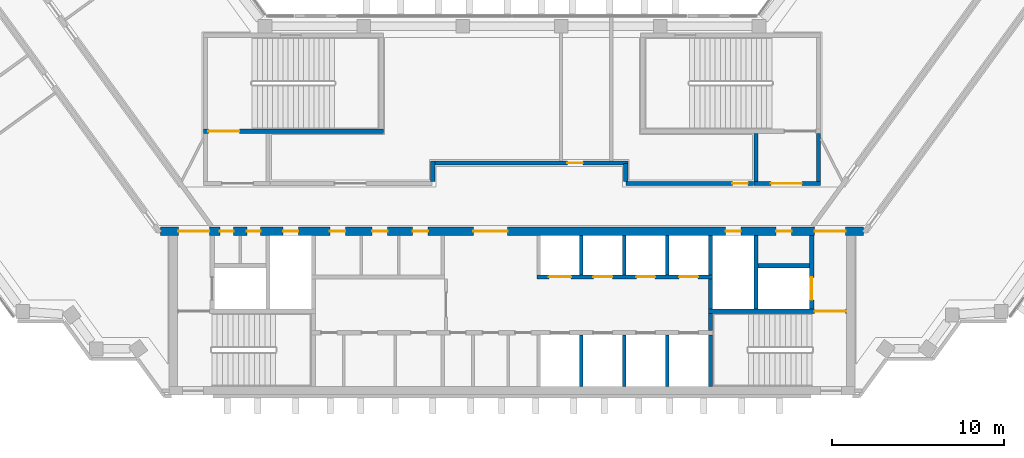
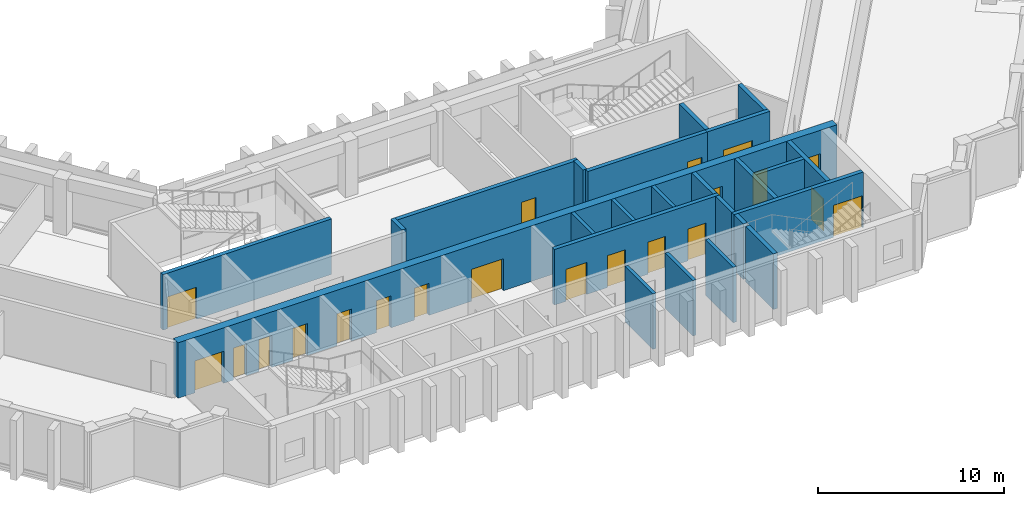
# One storey, part 5 of 9: 24 walls, 21 doors, 21 openings.
"""IFC4 building model written with IfcOpenShell, lengths in metres."""

from ifc_helpers import new_model, si_unit, direction, frame, frame_2d, origin, place, context, subcontext, project, spatial, rectangle, extrude, material, layer, layer_set, type_object, element, fill, save


model = new_model("IFC4")

# Units and contexts
model_context = context("Model", 3, precision=1e-05, world=origin(), true_north=direction((0.0, 1.0)))
body_context = subcontext(model_context, "Body", "Model", "MODEL_VIEW")
ifc_project = project(units=[si_unit("LENGTHUNIT", "METRE"), si_unit("AREAUNIT", "SQUARE_METRE"), si_unit("VOLUMEUNIT", "CUBIC_METRE"), si_unit("PLANEANGLEUNIT", "RADIAN"), si_unit("MASSUNIT", "GRAM", prefix="KILO")], contexts=[model_context])

# Site, building, storey
site_placement = place(None, origin())
site = spatial("IfcSite", under=ifc_project, at=site_placement, CompositionType="ELEMENT")
building_placement = place(site_placement, origin())
building = spatial("IfcBuilding", under=site, at=building_placement, Name="Quipu Civic Tower", CompositionType="ELEMENT")
storey_placement = place(building_placement, frame((0.0, 0.0, 218.0)))
storey = spatial("IfcBuildingStorey", under=building, at=storey_placement, Name="L51", CompositionType="ELEMENT", Elevation=218.0)

# Walls
ifc_material_1 = material(Name="Concrete C70/85", Category="concrete")
ifc_layer_1 = layer(ifc_material_1, 0.25)
ifc_layer_set_1 = layer_set([ifc_layer_1], Name="Concrete C70/85")
wall_type_1 = type_object("IfcWallType", Name="Core wall 250", PredefinedType="SHEAR", material=ifc_layer_set_1)
wall_1_placement = place(storey_placement, frame((11.574951171875, -10.5, 0.0), z_axis=(0.0, 0.0, 1.0), x_axis=(0.0, 1.0, 0.0)))
element("IfcWall", 1, at=wall_1_placement, inside=storey, type_object=wall_type_1, Name="Core wall", PredefinedType="SHEAR", context=body_context, shape_type="SweptSolid", body=[
    extrude(rectangle(XDim=3.0, YDim=0.25, at=frame_2d((1.5, 0.0))), origin(), (0.0, 0.0, 1.0), 3.64990234375),
])
wall_2_placement = place(storey_placement, frame((11.574951171875, -7.25, 0.0), z_axis=(0.0, 0.0, 1.0), x_axis=(0.0, 1.0, 0.0)))
element("IfcWall", 2, at=wall_2_placement, inside=storey, type_object=wall_type_1, Name="Core wall", PredefinedType="SHEAR", context=body_context, shape_type="SweptSolid", body=[
    extrude(rectangle(XDim=1.0, YDim=0.25, at=frame_2d((0.5, 0.0))), origin(), (0.0, 0.0, 1.0), 3.64990234375),
])

# Wall, opening, door
wall_3_placement = place(storey_placement, frame((19.5, -6.125, 0.0), z_axis=(0.0, 0.0, 1.0), x_axis=(-1.0, 0.0, 0.0)))
wall_3 = element("IfcWall", 3, at=wall_3_placement, inside=storey, type_object=wall_type_1, Name="Core wall", PredefinedType="SHEAR", context=body_context, shape_type="SweptSolid", body=[
    extrude(rectangle(XDim=8.050048828125, YDim=0.25, at=frame_2d((4.02490234375, 0.0))), origin(), (0.0, 0.0, 1.0), 3.64990234375),
])
opening_1_placement = place(wall_3_placement, frame((0.050048828125, 0.0, 0.0)))
opening_1 = element("IfcOpeningElement", 4, at=opening_1_placement, cuts=wall_3, Name="Opening CD-08", PredefinedType="OPENING", context=body_context, shape_type="SweptSolid", body=[
    extrude(rectangle(XDim=1.800048828125, YDim=2.10009765625, at=frame_2d((0.89990234375, 1.050048828125))), frame((0.0, 0.135009765625, 0.0), z_axis=(0.0, -1.0, 0.0), x_axis=(1.0, 0.0, 0.0)), (0.0, 0.0, 1.0), 0.27001953125),
])
ifc_material_2 = material(Name="Fire rated steel door", Category="steel")
door_type_1 = type_object("IfcDoorType", Name="Fire door FD90 double 1800 x 2100", OperationType="NOTDEFINED", PredefinedType="DOOR", material=ifc_material_2)
door_1_placement = place(opening_1_placement, origin())
door_1 = element("IfcDoor", 5, at=door_1_placement, inside=storey, type_object=door_type_1, Name="Door", OperationType="DOUBLE_DOOR_SINGLE_SWING", OverallHeight=2.10009765625, OverallWidth=1.800048828125, PredefinedType="DOOR", context=body_context, shape_type="SweptSolid", body=[
    extrude(rectangle(XDim=1.800048828125, YDim=2.10009765625, at=frame_2d((0.89990234375, 1.050048828125))), frame((0.0, 0.02490234375, 0.0), z_axis=(0.0, -1.0, 0.0), x_axis=(1.0, 0.0, 0.0)), (0.0, 0.0, 1.0), 0.050048828125),
])
fill(opening_1, door_1)

# Walls
wall_4_placement = place(storey_placement, frame((11.574951171875, -6.0, 0.0), z_axis=(0.0, 0.0, 1.0), x_axis=(0.0, 1.0, 0.0)))
element("IfcWall", 6, at=wall_4_placement, inside=storey, type_object=wall_type_1, Name="Core wall", PredefinedType="SHEAR", context=body_context, shape_type="SweptSolid", body=[
    extrude(rectangle(XDim=1.75, YDim=0.25, at=frame_2d((0.875, 0.0))), origin(), (0.0, 0.0, 1.0), 3.64990234375),
])
wall_5_placement = place(storey_placement, frame((14.22509765625, -6.0, 0.0), z_axis=(0.0, 0.0, 1.0), x_axis=(0.0, 1.0, 0.0)))
element("IfcWall", 7, at=wall_5_placement, inside=storey, type_object=wall_type_1, Name="Core wall", PredefinedType="SHEAR", context=body_context, shape_type="SweptSolid", body=[
    extrude(rectangle(XDim=4.300048828125, YDim=0.25, at=frame_2d((2.14990234375, 0.0))), origin(), (0.0, 0.0, 1.0), 3.64990234375),
])

# Wall, opening, door
wall_6_placement = place(storey_placement, frame((17.47509765625, -6.0, 0.0), z_axis=(0.0, 0.0, 1.0), x_axis=(0.0, 1.0, 0.0)))
wall_6 = element("IfcWall", 8, at=wall_6_placement, inside=storey, type_object=wall_type_1, Name="Core wall", PredefinedType="SHEAR", context=body_context, shape_type="SweptSolid", body=[
    extrude(rectangle(XDim=4.300048828125, YDim=0.25, at=frame_2d((2.14990234375, 0.0))), origin(), (0.0, 0.0, 1.0), 3.64990234375),
])
opening_2_placement = place(wall_6_placement, frame((0.550048828125, 0.0, 0.0)))
opening_2 = element("IfcOpeningElement", 9, at=opening_2_placement, cuts=wall_6, Name="Opening LD-FF2", PredefinedType="OPENING", context=body_context, shape_type="SweptSolid", body=[
    extrude(rectangle(XDim=1.300048828125, YDim=2.10009765625, at=frame_2d((0.64990234375, 1.050048828125))), frame((0.0, 0.135009765625, 0.0), z_axis=(0.0, -1.0, 0.0), x_axis=(1.0, 0.0, 0.0)), (0.0, 0.0, 1.0), 0.27001953125),
])
ifc_material_3 = material(Name="Stainless steel", Category="steel")
door_type_2 = type_object("IfcDoorType", Name="Lift landing door 1300 x 2100", OperationType="DOUBLE_DOOR_SLIDING", PredefinedType="DOOR", material=ifc_material_3)
door_2_placement = place(opening_2_placement, origin())
door_2 = element("IfcDoor", 10, at=door_2_placement, inside=storey, type_object=door_type_2, Name="Landing door FF2", OperationType="DOUBLE_DOOR_SLIDING", OverallHeight=2.10009765625, OverallWidth=1.300048828125, PredefinedType="DOOR", context=body_context, shape_type="SweptSolid", body=[
    extrude(rectangle(XDim=1.300048828125, YDim=2.10009765625, at=frame_2d((0.64990234375, 1.050048828125))), frame((0.0, 0.02490234375, 0.0), z_axis=(0.0, -1.0, 0.0), x_axis=(1.0, 0.0, 0.0)), (0.0, 0.0, 1.0), 0.050048828125),
])
fill(opening_2, door_2)

# Wall, openings, doors
wall_7_placement = place(storey_placement, frame((1.449951171875, -4.125, 0.0), z_axis=(0.0, 0.0, 1.0), x_axis=(1.0, 0.0, 0.0)))
wall_7 = element("IfcWall", 11, at=wall_7_placement, inside=storey, type_object=wall_type_1, Name="Core wall", PredefinedType="SHEAR", context=body_context, shape_type="SweptSolid", body=[
    extrude(rectangle(XDim=10.25, YDim=0.25, at=frame_2d((5.125, 0.0))), origin(), (0.0, 0.0, 1.0), 3.64990234375),
])
opening_3_placement = place(wall_7_placement, frame((0.699951171875, 0.0, 0.0)))
opening_3 = element("IfcOpeningElement", 12, at=opening_3_placement, cuts=wall_7, Name="Opening LD-FF3", PredefinedType="OPENING", context=body_context, shape_type="SweptSolid", body=[
    extrude(rectangle(XDim=1.300048828125, YDim=2.10009765625, at=frame_2d((0.64990234375, 1.050048828125))), frame((0.0, 0.135009765625, 0.0), z_axis=(0.0, -1.0, 0.0), x_axis=(1.0, 0.0, 0.0)), (0.0, 0.0, 1.0), 0.27001953125),
])
opening_4_placement = place(wall_7_placement, frame((3.300048828125, 0.0, 0.0)))
opening_4 = element("IfcOpeningElement", 13, at=opening_4_placement, cuts=wall_7, Name="Opening LD-ML5", PredefinedType="OPENING", context=body_context, shape_type="SweptSolid", body=[
    extrude(rectangle(XDim=1.10009765625, YDim=2.10009765625, at=frame_2d((0.550048828125, 1.050048828125))), frame((0.0, 0.135009765625, 0.0), z_axis=(0.0, -1.0, 0.0), x_axis=(1.0, 0.0, 0.0)), (0.0, 0.0, 1.0), 0.27001953125),
])
opening_5_placement = place(wall_7_placement, frame((5.800048828125, 0.0, 0.0)))
opening_5 = element("IfcOpeningElement", 14, at=opening_5_placement, cuts=wall_7, Name="Opening LD-ML6", PredefinedType="OPENING", context=body_context, shape_type="SweptSolid", body=[
    extrude(rectangle(XDim=1.10009765625, YDim=2.10009765625, at=frame_2d((0.550048828125, 1.050048828125))), frame((0.0, 0.135009765625, 0.0), z_axis=(0.0, -1.0, 0.0), x_axis=(1.0, 0.0, 0.0)), (0.0, 0.0, 1.0), 0.27001953125),
])
opening_6_placement = place(wall_7_placement, frame((8.300048828125, 0.0, 0.0)))
opening_6 = element("IfcOpeningElement", 15, at=opening_6_placement, cuts=wall_7, Name="Opening LD-ML7", PredefinedType="OPENING", context=body_context, shape_type="SweptSolid", body=[
    extrude(rectangle(XDim=1.10009765625, YDim=2.10009765625, at=frame_2d((0.550048828125, 1.050048828125))), frame((0.0, 0.135009765625, 0.0), z_axis=(0.0, -1.0, 0.0), x_axis=(1.0, 0.0, 0.0)), (0.0, 0.0, 1.0), 0.27001953125),
])
ifc_material_4 = material(Name="Stainless steel", Category="steel")
door_type_3 = type_object("IfcDoorType", Name="Lift landing door 1100 x 2100", OperationType="DOUBLE_DOOR_SLIDING", PredefinedType="DOOR", material=ifc_material_4)
door_3_placement = place(opening_4_placement, origin())
door_3 = element("IfcDoor", 16, at=door_3_placement, inside=storey, type_object=door_type_3, Name="Landing door ML5", OperationType="DOUBLE_DOOR_SLIDING", OverallHeight=2.10009765625, OverallWidth=1.10009765625, PredefinedType="DOOR", context=body_context, shape_type="SweptSolid", body=[
    extrude(rectangle(XDim=1.10009765625, YDim=2.10009765625, at=frame_2d((0.550048828125, 1.050048828125))), frame((0.0, 0.02490234375, 0.0), z_axis=(0.0, -1.0, 0.0), x_axis=(1.0, 0.0, 0.0)), (0.0, 0.0, 1.0), 0.050048828125),
])
fill(opening_4, door_3)
door_4_placement = place(opening_5_placement, origin())
door_4 = element("IfcDoor", 17, at=door_4_placement, inside=storey, type_object=door_type_3, Name="Landing door ML6", OperationType="DOUBLE_DOOR_SLIDING", OverallHeight=2.10009765625, OverallWidth=1.10009765625, PredefinedType="DOOR", context=body_context, shape_type="SweptSolid", body=[
    extrude(rectangle(XDim=1.10009765625, YDim=2.10009765625, at=frame_2d((0.550048828125, 1.050048828125))), frame((0.0, 0.02490234375, 0.0), z_axis=(0.0, -1.0, 0.0), x_axis=(1.0, 0.0, 0.0)), (0.0, 0.0, 1.0), 0.050048828125),
])
fill(opening_5, door_4)
door_5_placement = place(opening_6_placement, origin())
door_5 = element("IfcDoor", 18, at=door_5_placement, inside=storey, type_object=door_type_3, Name="Landing door ML7", OperationType="DOUBLE_DOOR_SLIDING", OverallHeight=2.10009765625, OverallWidth=1.10009765625, PredefinedType="DOOR", context=body_context, shape_type="SweptSolid", body=[
    extrude(rectangle(XDim=1.10009765625, YDim=2.10009765625, at=frame_2d((0.550048828125, 1.050048828125))), frame((0.0, 0.02490234375, 0.0), z_axis=(0.0, -1.0, 0.0), x_axis=(1.0, 0.0, 0.0)), (0.0, 0.0, 1.0), 0.050048828125),
])
fill(opening_6, door_5)
door_6_placement = place(opening_3_placement, origin())
door_6 = element("IfcDoor", 19, at=door_6_placement, inside=storey, type_object=door_type_2, Name="Landing door FF3", OperationType="DOUBLE_DOOR_SLIDING", OverallHeight=2.10009765625, OverallWidth=1.300048828125, PredefinedType="DOOR", context=body_context, shape_type="SweptSolid", body=[
    extrude(rectangle(XDim=1.300048828125, YDim=2.10009765625, at=frame_2d((0.64990234375, 1.050048828125))), frame((0.0, 0.02490234375, 0.0), z_axis=(0.0, -1.0, 0.0), x_axis=(1.0, 0.0, 0.0)), (0.0, 0.0, 1.0), 0.050048828125),
])
fill(opening_3, door_6)

# Walls
wall_8_placement = place(storey_placement, frame((11.574951171875, -4.0, 0.0), z_axis=(0.0, 0.0, 1.0), x_axis=(0.0, 1.0, 0.0)))
element("IfcWall", 20, at=wall_8_placement, inside=storey, type_object=wall_type_1, Name="Core wall", PredefinedType="SHEAR", context=body_context, shape_type="SweptSolid", body=[
    extrude(rectangle(XDim=2.300048828125, YDim=0.25, at=frame_2d((1.14990234375, 0.0))), origin(), (0.0, 0.0, 1.0), 3.64990234375),
])
wall_9_placement = place(storey_placement, frame((14.35009765625, -3.47509765625, 0.0), z_axis=(0.0, 0.0, 1.0), x_axis=(1.0, 0.0, 0.0)))
element("IfcWall", 21, at=wall_9_placement, inside=storey, type_object=wall_type_1, Name="Core wall", PredefinedType="SHEAR", context=body_context, shape_type="SweptSolid", body=[
    extrude(rectangle(XDim=3.0, YDim=0.25, at=frame_2d((1.5, 0.0))), origin(), (0.0, 0.0, 1.0), 3.64990234375),
])

# Wall, opening, door
wall_10_placement = place(storey_placement, frame((-18.0, 4.375, 0.0), z_axis=(0.0, 0.0, 1.0), x_axis=(1.0, 0.0, 0.0)))
wall_10 = element("IfcWall", 22, at=wall_10_placement, inside=storey, type_object=wall_type_1, Name="Core wall", PredefinedType="SHEAR", context=body_context, shape_type="SweptSolid", body=[
    extrude(rectangle(XDim=10.5, YDim=0.25, at=frame_2d((5.25, 0.0))), origin(), (0.0, 0.0, 1.0), 3.64990234375),
])
opening_7_placement = place(wall_10_placement, frame((0.300048828125, 0.0, 0.0)))
opening_7 = element("IfcOpeningElement", 23, at=opening_7_placement, cuts=wall_10, Name="Opening CD-22", PredefinedType="OPENING", context=body_context, shape_type="SweptSolid", body=[
    extrude(rectangle(XDim=1.800048828125, YDim=2.10009765625, at=frame_2d((0.89990234375, 1.050048828125))), frame((0.0, 0.135009765625, 0.0), z_axis=(0.0, -1.0, 0.0), x_axis=(1.0, 0.0, 0.0)), (0.0, 0.0, 1.0), 0.27001953125),
])
door_7_placement = place(opening_7_placement, origin())
door_7 = element("IfcDoor", 24, at=door_7_placement, inside=storey, type_object=door_type_1, Name="Door", OperationType="DOUBLE_DOOR_SINGLE_SWING", OverallHeight=2.10009765625, OverallWidth=1.800048828125, PredefinedType="DOOR", context=body_context, shape_type="SweptSolid", body=[
    extrude(rectangle(XDim=1.800048828125, YDim=2.10009765625, at=frame_2d((0.89990234375, 1.050048828125))), frame((0.0, 0.02490234375, 0.0), z_axis=(0.0, -1.0, 0.0), x_axis=(1.0, 0.0, 0.0)), (0.0, 0.0, 1.0), 0.050048828125),
])
fill(opening_7, door_7)

wall_11_placement = place(storey_placement, frame((14.10009765625, 1.324951171875, 0.0), z_axis=(0.0, 0.0, 1.0), x_axis=(1.0, 0.0, 0.0)))
wall_11 = element("IfcWall", 25, at=wall_11_placement, inside=storey, type_object=wall_type_1, Name="Core wall", PredefinedType="SHEAR", context=body_context, shape_type="SweptSolid", body=[
    extrude(rectangle(XDim=3.89990234375, YDim=0.25, at=frame_2d((1.949951171875, 0.0))), origin(), (0.0, 0.0, 1.0), 3.64990234375),
])
opening_8_placement = place(wall_11_placement, frame((1.0, 0.0, 0.0)))
opening_8 = element("IfcOpeningElement", 26, at=opening_8_placement, cuts=wall_11, Name="Opening CD-23", PredefinedType="OPENING", context=body_context, shape_type="SweptSolid", body=[
    extrude(rectangle(XDim=1.800048828125, YDim=2.10009765625, at=frame_2d((0.89990234375, 1.050048828125))), frame((0.0, 0.135009765625, 0.0), z_axis=(0.0, -1.0, 0.0), x_axis=(1.0, 0.0, 0.0)), (0.0, 0.0, 1.0), 0.27001953125),
])
door_8_placement = place(opening_8_placement, origin())
door_8 = element("IfcDoor", 27, at=door_8_placement, inside=storey, type_object=door_type_1, Name="Lobby door", OperationType="DOUBLE_DOOR_SINGLE_SWING", OverallHeight=2.10009765625, OverallWidth=1.800048828125, PredefinedType="DOOR", context=body_context, shape_type="SweptSolid", body=[
    extrude(rectangle(XDim=1.800048828125, YDim=2.10009765625, at=frame_2d((0.89990234375, 1.050048828125))), frame((0.0, 0.02490234375, 0.0), z_axis=(0.0, -1.0, 0.0), x_axis=(1.0, 0.0, 0.0)), (0.0, 0.0, 1.0), 0.050048828125),
])
fill(opening_8, door_8)

# Walls
for number, where, z_axis, x_axis, name in (
    (28, (14.22509765625, 1.449951171875, 0.0), (0.0, 0.0, 1.0), (0.0, 1.0, 0.0), "Core wall"),
    (29, (17.875, 1.449951171875, 0.0), (0.0, 0.0, 1.0), (0.0, 1.0, 0.0), "Core wall"),
):
    element("IfcWall", number, at=place(storey_placement, frame(where, z_axis=z_axis, x_axis=x_axis)), inside=storey, type_object=wall_type_1, Name=name, PredefinedType="SHEAR", context=body_context, shape_type="SweptSolid", body=[
        extrude(rectangle(XDim=2.800048828125, YDim=0.25, at=frame_2d((1.39990234375, 0.0))), origin(), (0.0, 0.0, 1.0), 3.64990234375),
    ])

# Wall, openings, doors
ifc_material_5 = material(Name="Concrete C70/85", Category="concrete")
ifc_layer_2 = layer(ifc_material_5, 0.5)
ifc_layer_set_2 = layer_set([ifc_layer_2], Name="Concrete C70/85")
wall_type_2 = type_object("IfcWallType", Name="Core wall 500", PredefinedType="SHEAR", material=ifc_layer_set_2)
wall_12_placement = place(storey_placement, frame((20.489990234375, -1.449951171875, 0.0), z_axis=(0.0, 0.0, 1.0), x_axis=(-1.0, 0.0, 0.0)))
wall_12 = element("IfcWall", 30, at=wall_12_placement, inside=storey, type_object=wall_type_2, Name="Core wall", PredefinedType="SHEAR", context=body_context, shape_type="SweptSolid", body=[
    extrude(rectangle(XDim=40.97998046875, YDim=0.5, at=frame_2d((20.489990234375, 0.0))), origin(), (0.0, 0.0, 1.0), 3.64990234375),
])
opening_9_placement = place(wall_12_placement, frame((38.139892578125, 0.0, 0.0)))
opening_9 = element("IfcOpeningElement", 31, at=opening_9_placement, cuts=wall_12, Name="Opening CD-10", PredefinedType="OPENING", context=body_context, shape_type="SweptSolid", body=[
    extrude(rectangle(XDim=1.800048828125, YDim=2.10009765625, at=frame_2d((0.89990234375, 1.050048828125))), frame((0.0, 0.260009765625, 0.0), z_axis=(0.0, -1.0, 0.0), x_axis=(1.0, 0.0, 0.0)), (0.0, 0.0, 1.0), 0.52001953125),
])
opening_10_placement = place(wall_12_placement, frame((36.7275390625, 0.0, 0.0)))
opening_10 = element("IfcOpeningElement", 32, at=opening_10_placement, cuts=wall_12, Name="Opening CD-11", PredefinedType="OPENING", context=body_context, shape_type="SweptSolid", body=[
    extrude(rectangle(XDim=0.800048828125, YDim=2.10009765625, at=frame_2d((0.39990234375, 1.050048828125))), frame((0.0, 0.260009765625, 0.0), z_axis=(0.0, -1.0, 0.0), x_axis=(1.0, 0.0, 0.0)), (0.0, 0.0, 1.0), 0.52001953125),
])
opening_11_placement = place(wall_12_placement, frame((35.152587890625, 0.0, 0.0)))
opening_11 = element("IfcOpeningElement", 33, at=opening_11_placement, cuts=wall_12, Name="Opening CD-12", PredefinedType="OPENING", context=body_context, shape_type="SweptSolid", body=[
    extrude(rectangle(XDim=0.800048828125, YDim=2.10009765625, at=frame_2d((0.39990234375, 1.050048828125))), frame((0.0, 0.260009765625, 0.0), z_axis=(0.0, -1.0, 0.0), x_axis=(1.0, 0.0, 0.0)), (0.0, 0.0, 1.0), 0.52001953125),
])
opening_12_placement = place(wall_12_placement, frame((32.93994140625, 0.0, 0.0)))
opening_12 = element("IfcOpeningElement", 34, at=opening_12_placement, cuts=wall_12, Name="Opening CD-13", PredefinedType="OPENING", context=body_context, shape_type="SweptSolid", body=[
    extrude(rectangle(XDim=0.89990234375, YDim=2.10009765625, at=frame_2d((0.449951171875, 1.050048828125))), frame((0.0, 0.260009765625, 0.0), z_axis=(0.0, -1.0, 0.0), x_axis=(1.0, 0.0, 0.0)), (0.0, 0.0, 1.0), 0.52001953125),
])
opening_13_placement = place(wall_12_placement, frame((30.202392578125, 0.0, 0.0)))
opening_13 = element("IfcOpeningElement", 35, at=opening_13_placement, cuts=wall_12, Name="Opening CD-14", PredefinedType="OPENING", context=body_context, shape_type="SweptSolid", body=[
    extrude(rectangle(XDim=0.89990234375, YDim=2.10009765625, at=frame_2d((0.449951171875, 1.050048828125))), frame((0.0, 0.260009765625, 0.0), z_axis=(0.0, -1.0, 0.0), x_axis=(1.0, 0.0, 0.0)), (0.0, 0.0, 1.0), 0.52001953125),
])
opening_14_placement = place(wall_12_placement, frame((27.739990234375, 0.0, 0.0)))
opening_14 = element("IfcOpeningElement", 36, at=opening_14_placement, cuts=wall_12, Name="Opening CD-15", PredefinedType="OPENING", context=body_context, shape_type="SweptSolid", body=[
    extrude(rectangle(XDim=0.89990234375, YDim=2.10009765625, at=frame_2d((0.449951171875, 1.050048828125))), frame((0.0, 0.260009765625, 0.0), z_axis=(0.0, -1.0, 0.0), x_axis=(1.0, 0.0, 0.0)), (0.0, 0.0, 1.0), 0.52001953125),
])
opening_15_placement = place(wall_12_placement, frame((25.37744140625, 0.0, 0.0)))
opening_15 = element("IfcOpeningElement", 37, at=opening_15_placement, cuts=wall_12, Name="Opening CD-16", PredefinedType="OPENING", context=body_context, shape_type="SweptSolid", body=[
    extrude(rectangle(XDim=0.89990234375, YDim=2.10009765625, at=frame_2d((0.449951171875, 1.050048828125))), frame((0.0, 0.260009765625, 0.0), z_axis=(0.0, -1.0, 0.0), x_axis=(1.0, 0.0, 0.0)), (0.0, 0.0, 1.0), 0.52001953125),
])
opening_16_placement = place(wall_12_placement, frame((20.739990234375, 0.0, 0.0)))
opening_16 = element("IfcOpeningElement", 38, at=opening_16_placement, cuts=wall_12, Name="Opening CD-17", PredefinedType="OPENING", context=body_context, shape_type="SweptSolid", body=[
    extrude(rectangle(XDim=2.0, YDim=2.10009765625, at=frame_2d((1.0, 1.050048828125))), frame((0.0, 0.260009765625, 0.0), z_axis=(0.0, -1.0, 0.0), x_axis=(1.0, 0.0, 0.0)), (0.0, 0.0, 1.0), 0.52001953125),
])
opening_17_placement = place(wall_12_placement, frame((7.139892578125, 0.0, 0.0)))
opening_17 = element("IfcOpeningElement", 39, at=opening_17_placement, cuts=wall_12, Name="Opening CD-18", PredefinedType="OPENING", context=body_context, shape_type="SweptSolid", body=[
    extrude(rectangle(XDim=0.89990234375, YDim=2.10009765625, at=frame_2d((0.449951171875, 1.050048828125))), frame((0.0, 0.260009765625, 0.0), z_axis=(0.0, -1.0, 0.0), x_axis=(1.0, 0.0, 0.0)), (0.0, 0.0, 1.0), 0.52001953125),
])
opening_18_placement = place(wall_12_placement, frame((4.18994140625, 0.0, 0.0)))
opening_18 = element("IfcOpeningElement", 40, at=opening_18_placement, cuts=wall_12, Name="Opening CD-19", PredefinedType="OPENING", context=body_context, shape_type="SweptSolid", body=[
    extrude(rectangle(XDim=0.89990234375, YDim=2.10009765625, at=frame_2d((0.449951171875, 1.050048828125))), frame((0.0, 0.260009765625, 0.0), z_axis=(0.0, -1.0, 0.0), x_axis=(1.0, 0.0, 0.0)), (0.0, 0.0, 1.0), 0.52001953125),
])
opening_19_placement = place(wall_12_placement, frame((1.0400390625, 0.0, 0.0)))
opening_19 = element("IfcOpeningElement", 41, at=opening_19_placement, cuts=wall_12, Name="Opening CD-20", PredefinedType="OPENING", context=body_context, shape_type="SweptSolid", body=[
    extrude(rectangle(XDim=1.800048828125, YDim=2.10009765625, at=frame_2d((0.89990234375, 1.050048828125))), frame((0.0, 0.260009765625, 0.0), z_axis=(0.0, -1.0, 0.0), x_axis=(1.0, 0.0, 0.0)), (0.0, 0.0, 1.0), 0.52001953125),
])
ifc_material_6 = material(Name="Fire rated steel door", Category="steel")
door_type_4 = type_object("IfcDoorType", Name="Fire door FD60 800 x 2100", OperationType="NOTDEFINED", PredefinedType="DOOR", material=ifc_material_6)
door_9_placement = place(opening_10_placement, origin())
door_9 = element("IfcDoor", 42, at=door_9_placement, inside=storey, type_object=door_type_4, Name="Door", OperationType="SINGLE_SWING_RIGHT", OverallHeight=2.10009765625, OverallWidth=0.800048828125, PredefinedType="DOOR", context=body_context, shape_type="SweptSolid", body=[
    extrude(rectangle(XDim=0.800048828125, YDim=2.10009765625, at=frame_2d((0.39990234375, 1.050048828125))), frame((0.0, 0.02490234375, 0.0), z_axis=(0.0, -1.0, 0.0), x_axis=(1.0, 0.0, 0.0)), (0.0, 0.0, 1.0), 0.050048828125),
])
fill(opening_10, door_9)
door_10_placement = place(opening_11_placement, origin())
door_10 = element("IfcDoor", 43, at=door_10_placement, inside=storey, type_object=door_type_4, Name="Door", OperationType="SINGLE_SWING_RIGHT", OverallHeight=2.10009765625, OverallWidth=0.800048828125, PredefinedType="DOOR", context=body_context, shape_type="SweptSolid", body=[
    extrude(rectangle(XDim=0.800048828125, YDim=2.10009765625, at=frame_2d((0.39990234375, 1.050048828125))), frame((0.0, 0.02490234375, 0.0), z_axis=(0.0, -1.0, 0.0), x_axis=(1.0, 0.0, 0.0)), (0.0, 0.0, 1.0), 0.050048828125),
])
fill(opening_11, door_10)
ifc_material_7 = material(Name="Fire rated steel door", Category="steel")
door_type_5 = type_object("IfcDoorType", Name="Fire door FD60 900 x 2100", OperationType="NOTDEFINED", PredefinedType="DOOR", material=ifc_material_7)
door_11_placement = place(opening_12_placement, origin())
door_11 = element("IfcDoor", 44, at=door_11_placement, inside=storey, type_object=door_type_5, Name="Riser door", OperationType="SINGLE_SWING_RIGHT", OverallHeight=2.10009765625, OverallWidth=0.89990234375, PredefinedType="DOOR", context=body_context, shape_type="SweptSolid", body=[
    extrude(rectangle(XDim=0.89990234375, YDim=2.10009765625, at=frame_2d((0.449951171875, 1.050048828125))), frame((0.0, 0.02490234375, 0.0), z_axis=(0.0, -1.0, 0.0), x_axis=(1.0, 0.0, 0.0)), (0.0, 0.0, 1.0), 0.050048828125),
])
fill(opening_12, door_11)
door_12_placement = place(opening_13_placement, origin())
door_12 = element("IfcDoor", 45, at=door_12_placement, inside=storey, type_object=door_type_5, Name="Door", OperationType="SINGLE_SWING_RIGHT", OverallHeight=2.10009765625, OverallWidth=0.89990234375, PredefinedType="DOOR", context=body_context, shape_type="SweptSolid", body=[
    extrude(rectangle(XDim=0.89990234375, YDim=2.10009765625, at=frame_2d((0.449951171875, 1.050048828125))), frame((0.0, 0.02490234375, 0.0), z_axis=(0.0, -1.0, 0.0), x_axis=(1.0, 0.0, 0.0)), (0.0, 0.0, 1.0), 0.050048828125),
])
fill(opening_13, door_12)
door_13_placement = place(opening_14_placement, origin())
door_13 = element("IfcDoor", 46, at=door_13_placement, inside=storey, type_object=door_type_5, Name="Door", OperationType="SINGLE_SWING_RIGHT", OverallHeight=2.10009765625, OverallWidth=0.89990234375, PredefinedType="DOOR", context=body_context, shape_type="SweptSolid", body=[
    extrude(rectangle(XDim=0.89990234375, YDim=2.10009765625, at=frame_2d((0.449951171875, 1.050048828125))), frame((0.0, 0.02490234375, 0.0), z_axis=(0.0, -1.0, 0.0), x_axis=(1.0, 0.0, 0.0)), (0.0, 0.0, 1.0), 0.050048828125),
])
fill(opening_14, door_13)
door_14_placement = place(opening_15_placement, origin())
door_14 = element("IfcDoor", 47, at=door_14_placement, inside=storey, type_object=door_type_5, Name="Door", OperationType="SINGLE_SWING_RIGHT", OverallHeight=2.10009765625, OverallWidth=0.89990234375, PredefinedType="DOOR", context=body_context, shape_type="SweptSolid", body=[
    extrude(rectangle(XDim=0.89990234375, YDim=2.10009765625, at=frame_2d((0.449951171875, 1.050048828125))), frame((0.0, 0.02490234375, 0.0), z_axis=(0.0, -1.0, 0.0), x_axis=(1.0, 0.0, 0.0)), (0.0, 0.0, 1.0), 0.050048828125),
])
fill(opening_15, door_14)
door_15_placement = place(opening_17_placement, origin())
door_15 = element("IfcDoor", 48, at=door_15_placement, inside=storey, type_object=door_type_5, Name="Riser door", OperationType="SINGLE_SWING_LEFT", OverallHeight=2.10009765625, OverallWidth=0.89990234375, PredefinedType="DOOR", context=body_context, shape_type="SweptSolid", body=[
    extrude(rectangle(XDim=0.89990234375, YDim=2.10009765625, at=frame_2d((0.449951171875, 1.050048828125))), frame((0.0, 0.02490234375, 0.0), z_axis=(0.0, -1.0, 0.0), x_axis=(1.0, 0.0, 0.0)), (0.0, 0.0, 1.0), 0.050048828125),
])
fill(opening_17, door_15)
door_16_placement = place(opening_18_placement, origin())
door_16 = element("IfcDoor", 49, at=door_16_placement, inside=storey, type_object=door_type_5, Name="Door", OperationType="SINGLE_SWING_LEFT", OverallHeight=2.10009765625, OverallWidth=0.89990234375, PredefinedType="DOOR", context=body_context, shape_type="SweptSolid", body=[
    extrude(rectangle(XDim=0.89990234375, YDim=2.10009765625, at=frame_2d((0.449951171875, 1.050048828125))), frame((0.0, 0.02490234375, 0.0), z_axis=(0.0, -1.0, 0.0), x_axis=(1.0, 0.0, 0.0)), (0.0, 0.0, 1.0), 0.050048828125),
])
fill(opening_18, door_16)
door_17_placement = place(opening_9_placement, origin())
door_17 = element("IfcDoor", 50, at=door_17_placement, inside=storey, type_object=door_type_1, Name="Lobby door", OperationType="DOUBLE_DOOR_SINGLE_SWING", OverallHeight=2.10009765625, OverallWidth=1.800048828125, PredefinedType="DOOR", context=body_context, shape_type="SweptSolid", body=[
    extrude(rectangle(XDim=1.800048828125, YDim=2.10009765625, at=frame_2d((0.89990234375, 1.050048828125))), frame((0.0, 0.02490234375, 0.0), z_axis=(0.0, -1.0, 0.0), x_axis=(1.0, 0.0, 0.0)), (0.0, 0.0, 1.0), 0.050048828125),
])
fill(opening_9, door_17)
door_18_placement = place(opening_19_placement, origin())
door_18 = element("IfcDoor", 51, at=door_18_placement, inside=storey, type_object=door_type_1, Name="Lobby door", OperationType="DOUBLE_DOOR_SINGLE_SWING", OverallHeight=2.10009765625, OverallWidth=1.800048828125, PredefinedType="DOOR", context=body_context, shape_type="SweptSolid", body=[
    extrude(rectangle(XDim=1.800048828125, YDim=2.10009765625, at=frame_2d((0.89990234375, 1.050048828125))), frame((0.0, 0.02490234375, 0.0), z_axis=(0.0, -1.0, 0.0), x_axis=(1.0, 0.0, 0.0)), (0.0, 0.0, 1.0), 0.050048828125),
])
fill(opening_19, door_18)
ifc_material_8 = material(Name="Fire rated steel door", Category="steel")
door_type_6 = type_object("IfcDoorType", Name="Fire door FD90 double 2000 x 2100", OperationType="NOTDEFINED", PredefinedType="DOOR", material=ifc_material_8)
door_19_placement = place(opening_16_placement, origin())
door_19 = element("IfcDoor", 52, at=door_19_placement, inside=storey, type_object=door_type_6, Name="Lobby door", OperationType="DOUBLE_DOOR_SINGLE_SWING", OverallHeight=2.10009765625, OverallWidth=2.0, PredefinedType="DOOR", context=body_context, shape_type="SweptSolid", body=[
    extrude(rectangle(XDim=2.0, YDim=2.10009765625, at=frame_2d((1.0, 1.050048828125))), frame((0.0, 0.02490234375, 0.0), z_axis=(0.0, -1.0, 0.0), x_axis=(1.0, 0.0, 0.0)), (0.0, 0.0, 1.0), 0.050048828125),
])
fill(opening_16, door_19)

# Wall, opening, door
ifc_material_9 = material(Name="Concrete C50/60", Category="concrete")
ifc_layer_3 = layer(ifc_material_9, 0.25)
ifc_layer_set_3 = layer_set([ifc_layer_3], Name="Concrete C50/60")
wall_type_3 = type_object("IfcWallType", Name="Corridor wall 250 concrete", PredefinedType="SOLIDWALL", material=ifc_layer_set_3)
wall_13_placement = place(storey_placement, frame((6.65869140625, 1.324951171875, 0.0), z_axis=(0.0, 0.0, 1.0), x_axis=(1.0, 0.0, 0.0)))
wall_13 = element("IfcWall", 53, at=wall_13_placement, inside=storey, type_object=wall_type_3, Name="Corridor wall C01", PredefinedType="SOLIDWALL", context=body_context, shape_type="SweptSolid", body=[
    extrude(rectangle(XDim=7.431396484375, YDim=0.25, at=frame_2d((3.7158203125, 0.0))), origin(), (0.0, 0.0, 1.0), 3.64990234375),
])
opening_20_placement = place(wall_13_placement, frame((6.19140625, 0.0, 0.0)))
opening_20 = element("IfcOpeningElement", 54, at=opening_20_placement, cuts=wall_13, Name="Opening D005", PredefinedType="OPENING", context=body_context, shape_type="SweptSolid", body=[
    extrude(rectangle(XDim=0.89990234375, YDim=2.10009765625, at=frame_2d((0.449951171875, 1.050048828125))), frame((0.0, 0.135009765625, 0.0), z_axis=(0.0, -1.0, 0.0), x_axis=(1.0, 0.0, 0.0)), (0.0, 0.0, 1.0), 0.27001953125),
])
ifc_material_10 = material(Name="Fire rated timber door set with metal frame", Category="wood")
door_type_7 = type_object("IfcDoorType", Name="Single door 900 x 2100 FD60", OperationType="NOTDEFINED", PredefinedType="DOOR", material=ifc_material_10)
door_20_placement = place(opening_20_placement, origin())
door_20 = element("IfcDoor", 55, at=door_20_placement, inside=storey, type_object=door_type_7, Name="Door D005", OperationType="SINGLE_SWING_RIGHT", OverallHeight=2.10009765625, OverallWidth=0.89990234375, PredefinedType="DOOR", context=body_context, shape_type="SweptSolid", body=[
    extrude(rectangle(XDim=0.89990234375, YDim=2.10009765625, at=frame_2d((0.449951171875, 1.050048828125))), frame((0.0, 0.02490234375, 0.0), z_axis=(0.0, -1.0, 0.0), x_axis=(1.0, 0.0, 0.0)), (0.0, 0.0, 1.0), 0.050048828125),
])
fill(opening_20, door_20)

# Wall
wall_14_placement = place(storey_placement, frame((-4.625, 1.45361328125, 0.0), z_axis=(0.0, 0.0, 1.0), x_axis=(0.0, 1.0, 0.0)))
element("IfcWall", 56, at=wall_14_placement, inside=storey, type_object=wall_type_3, Name="Corridor wall C08", PredefinedType="SOLIDWALL", context=body_context, shape_type="SweptSolid", body=[
    extrude(rectangle(XDim=1.1962890625, YDim=0.25, at=frame_2d((0.59814453125, 0.0))), origin(), (0.0, 0.0, 1.0), 3.64990234375),
])

# Wall, opening, door
wall_15_placement = place(storey_placement, frame((-4.5, 2.52490234375, 0.0), z_axis=(0.0, 0.0, 1.0), x_axis=(1.0, 0.0, 0.0)))
wall_15 = element("IfcWall", 57, at=wall_15_placement, inside=storey, type_object=wall_type_3, Name="Corridor wall C09", PredefinedType="SOLIDWALL", context=body_context, shape_type="SweptSolid", body=[
    extrude(rectangle(XDim=11.25, YDim=0.25, at=frame_2d((5.625, 0.0))), origin(), (0.0, 0.0, 1.0), 3.64990234375),
])
opening_21_placement = place(wall_15_placement, frame((7.72900390625, 0.0, 0.0)))
opening_21 = element("IfcOpeningElement", 58, at=opening_21_placement, cuts=wall_15, Name="Opening D004", PredefinedType="OPENING", context=body_context, shape_type="SweptSolid", body=[
    extrude(rectangle(XDim=0.89990234375, YDim=2.10009765625, at=frame_2d((0.449951171875, 1.050048828125))), frame((0.0, 0.135009765625, 0.0), z_axis=(0.0, -1.0, 0.0), x_axis=(1.0, 0.0, 0.0)), (0.0, 0.0, 1.0), 0.27001953125),
])
door_21_placement = place(opening_21_placement, origin())
door_21 = element("IfcDoor", 59, at=door_21_placement, inside=storey, type_object=door_type_7, Name="Door D004", OperationType="SINGLE_SWING_LEFT", OverallHeight=2.10009765625, OverallWidth=0.89990234375, PredefinedType="DOOR", context=body_context, shape_type="SweptSolid", body=[
    extrude(rectangle(XDim=0.89990234375, YDim=2.10009765625, at=frame_2d((0.449951171875, 1.050048828125))), frame((0.0, 0.02490234375, 0.0), z_axis=(0.0, -1.0, 0.0), x_axis=(1.0, 0.0, 0.0)), (0.0, 0.0, 1.0), 0.050048828125),
])
fill(opening_21, door_21)

# Walls
wall_16_placement = place(storey_placement, frame((6.625, 2.483642578125, 0.0), z_axis=(0.0, 0.0, 1.0), x_axis=(0.0, -1.0, 0.0)))
element("IfcWall", 60, at=wall_16_placement, inside=storey, type_object=wall_type_3, Name="Corridor wall C10", PredefinedType="SOLIDWALL", context=body_context, shape_type="SweptSolid", body=[
    extrude(rectangle(XDim=1.030029296875, YDim=0.25, at=frame_2d((0.51513671875, 0.0))), origin(), (0.0, 0.0, 1.0), 3.64990234375),
])
ifc_material_11 = material(Name="Concrete C40/50", Category="concrete")
ifc_layer_4 = layer(ifc_material_11, 0.199951171875)
ifc_layer_set_4 = layer_set([ifc_layer_4], Name="Concrete C40/50")
wall_type_4 = type_object("IfcWallType", Name="Shaft wall 200", PredefinedType="SOLIDWALL", material=ifc_layer_set_4)
for number, where, z_axis, x_axis, name in (
    (61, (4.050048828125, -10.5, 0.0), (0.0, 0.0, 1.0), (0.0, 1.0, 0.0), "Shaft wall"),
    (62, (6.550048828125, -10.5, 0.0), (0.0, 0.0, 1.0), (0.0, 1.0, 0.0), "Shaft wall"),
    (63, (9.050048828125, -10.5, 0.0), (0.0, 0.0, 1.0), (0.0, 1.0, 0.0), "Shaft wall"),
):
    element("IfcWall", number, at=place(storey_placement, frame(where, z_axis=z_axis, x_axis=x_axis)), inside=storey, type_object=wall_type_4, Name=name, PredefinedType="SOLIDWALL", context=body_context, shape_type="SweptSolid", body=[
        extrude(rectangle(XDim=3.0, YDim=0.199951171875, at=frame_2d((1.5, 0.0))), origin(), (0.0, 0.0, 1.0), 3.64990234375),
    ])
for number, where, z_axis, x_axis, name in (
    (64, (4.050048828125, -4.0, 0.0), (0.0, 0.0, 1.0), (0.0, 1.0, 0.0), "Shaft wall"),
    (65, (6.550048828125, -4.0, 0.0), (0.0, 0.0, 1.0), (0.0, 1.0, 0.0), "Shaft wall"),
    (66, (9.050048828125, -4.0, 0.0), (0.0, 0.0, 1.0), (0.0, 1.0, 0.0), "Shaft wall"),
):
    element("IfcWall", number, at=place(storey_placement, frame(where, z_axis=z_axis, x_axis=x_axis)), inside=storey, type_object=wall_type_4, Name=name, PredefinedType="SOLIDWALL", context=body_context, shape_type="SweptSolid", body=[
        extrude(rectangle(XDim=2.300048828125, YDim=0.199951171875, at=frame_2d((1.14990234375, 0.0))), origin(), (0.0, 0.0, 1.0), 3.64990234375),
    ])

save(model, "model.ifc")
